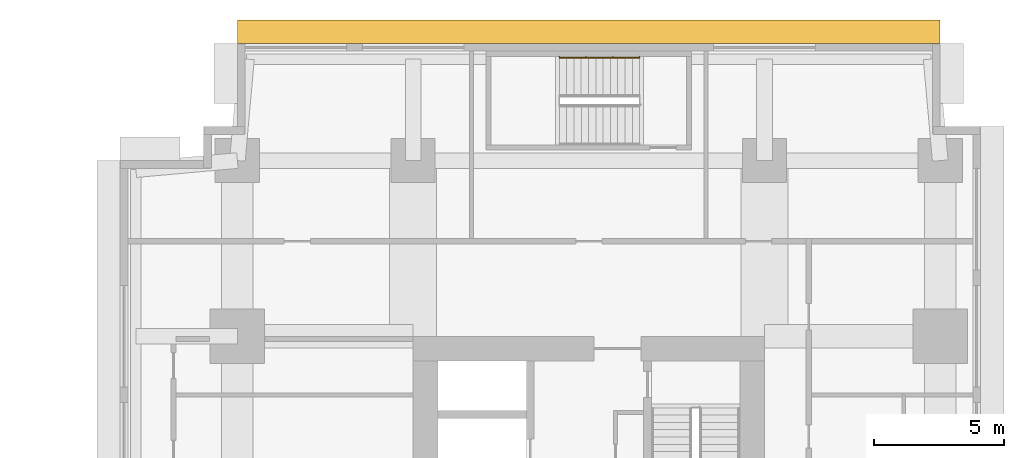
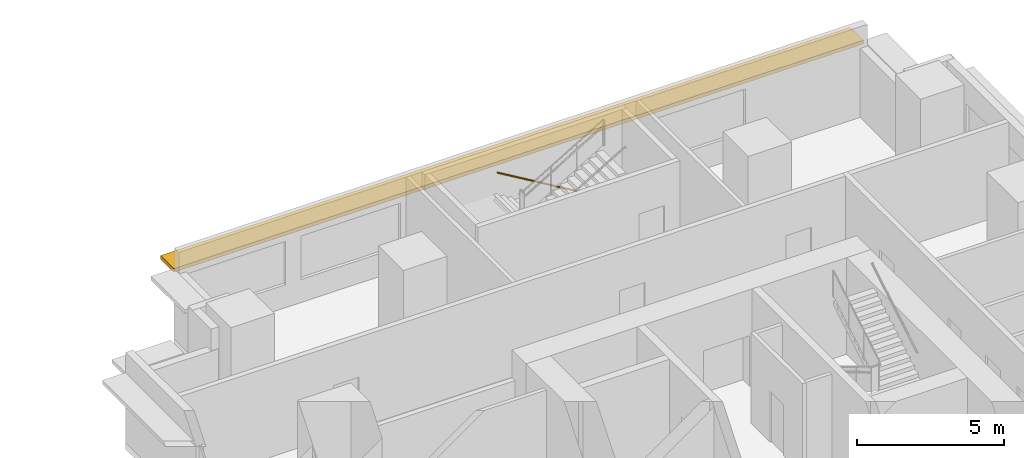
# One storey, part 11 of 11: 1 railing, 1 shading device.
"""IFC4 building model written with IfcOpenShell, lengths in metres."""

from ifc_helpers import new_model, si_unit, direction, frame, origin, origin_2d, place, context, subcontext, project, spatial, rectangle, circle, extrude, material, layer, layer_set, type_object, element, save


model = new_model("IFC4")

# Units and contexts
model_context = context("Model", 3, precision=1e-05, world=origin(), true_north=direction((0.0, 1.0)))
body_context = subcontext(model_context, "Body", "Model", "MODEL_VIEW")
ifc_project = project(units=[si_unit("LENGTHUNIT", "METRE"), si_unit("AREAUNIT", "SQUARE_METRE"), si_unit("VOLUMEUNIT", "CUBIC_METRE"), si_unit("PLANEANGLEUNIT", "RADIAN"), si_unit("MASSUNIT", "GRAM", prefix="KILO")], contexts=[model_context])

# Site, building, storey
site_placement = place(None, origin())
site = spatial("IfcSite", under=ifc_project, at=site_placement, CompositionType="ELEMENT")
building_placement = place(site_placement, origin())
building = spatial("IfcBuilding", under=site, at=building_placement, Name="Namib Vertical Campus", CompositionType="ELEMENT")
storey_placement = place(building_placement, frame((0.0, 0.0, 89.0)))
storey = spatial("IfcBuildingStorey", under=building, at=storey_placement, Name="L20", CompositionType="ELEMENT", Elevation=89.0)

# Railing
ifc_material_1 = material(Name="Steel handrail", Category="steel")
railing_type = type_object("IfcRailingType", Name="Handrail 900", PredefinedType="HANDRAIL", material=ifc_material_1)
railing_placement = place(storey_placement, frame((82.949951171875, 39.949951171875, 0.166748046875)))
element("IfcRailing", 1, at=railing_placement, inside=storey, type_object=railing_type, Name="Handrail HR1 B-S3 L20 1", PredefinedType="HANDRAIL", context=body_context, shape_type="SweptSolid", body=[
    extrude(circle(Radius=0.02392578125, at=origin_2d()), frame((0.0, 0.0, 0.8759765625), z_axis=(-0.859290745958, 0.0, 0.51148745235), x_axis=(0.0, -1.0, 0.0)), (0.0, 0.0, 1.0), 3.584228515625),
    extrude(circle(Radius=0.008056640625, at=origin_2d()), frame((0.0, 0.0, 0.8759765625), z_axis=(0.0, 1.0, 0.0), x_axis=(0.0, 0.0, 1.0)), (0.0, 0.0, 1.0), 0.050048828125),
    extrude(circle(Radius=0.008056640625, at=origin_2d()), frame((-1.026611328125, 0.0, 1.48681640625), z_axis=(0.0, 1.0, 0.0), x_axis=(0.0, 0.0, 1.0)), (0.0, 0.0, 1.0), 0.050048828125),
    extrude(circle(Radius=0.008056640625, at=origin_2d()), frame((-2.05322265625, 0.0, 2.09814453125), z_axis=(0.0, 1.0, 0.0), x_axis=(0.0, 0.0, 1.0)), (0.0, 0.0, 1.0), 0.050048828125),
    extrude(circle(Radius=0.008056640625, at=origin_2d()), frame((-3.079833984375, 0.0, 2.708984375), z_axis=(0.0, 1.0, 0.0), x_axis=(0.0, 0.0, 1.0)), (0.0, 0.0, 1.0), 0.050048828125),
])

# Shading device
ifc_material_2 = material(Name="Concrete C40/50 precast", Category="concrete")
ifc_layer = layer(ifc_material_2, 0.14990234375)
ifc_layer_set = layer_set([ifc_layer], Name="Concrete C40/50 precast")
shading_device_type = type_object("IfcShadingDeviceType", Name="Sunshade hood 900", PredefinedType="SHUTTER", material=ifc_layer_set)
shading_device_placement = place(storey_placement, frame((81.0, 40.949951171875, 2.75), z_axis=(0.0, 0.0, 1.0), x_axis=(-1.0, 0.0, 0.0)))
element("IfcShadingDevice", 2, at=shading_device_placement, inside=storey, type_object=shading_device_type, Name="Sunshade SH1 L20 7", PredefinedType="SHUTTER", context=body_context, shape_type="SweptSolid", body=[
    extrude(rectangle(XDim=27.0, YDim=0.89990234375, at=origin_2d()), origin(), (0.0, 0.0, 1.0), 0.14990234375),
])

save(model, "model.ifc")
